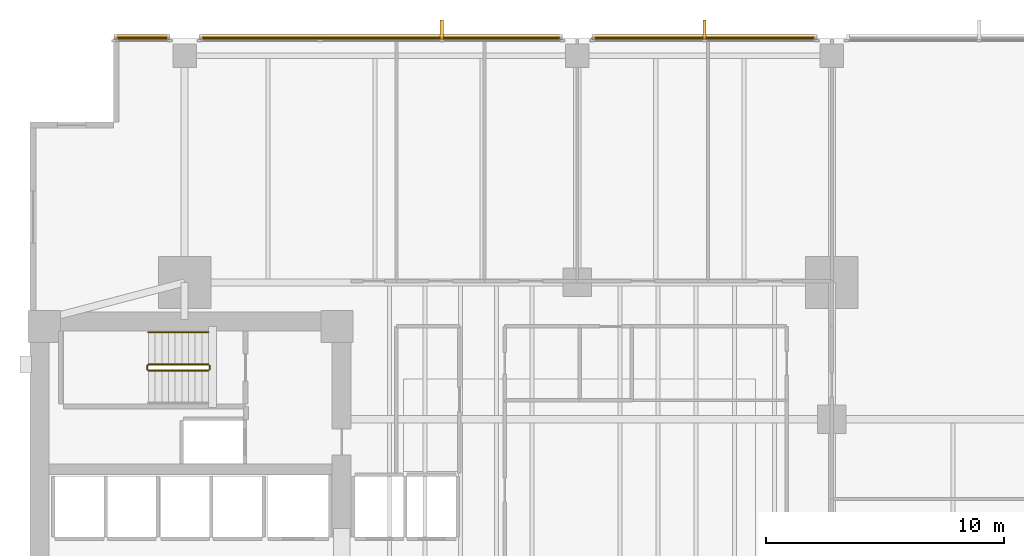
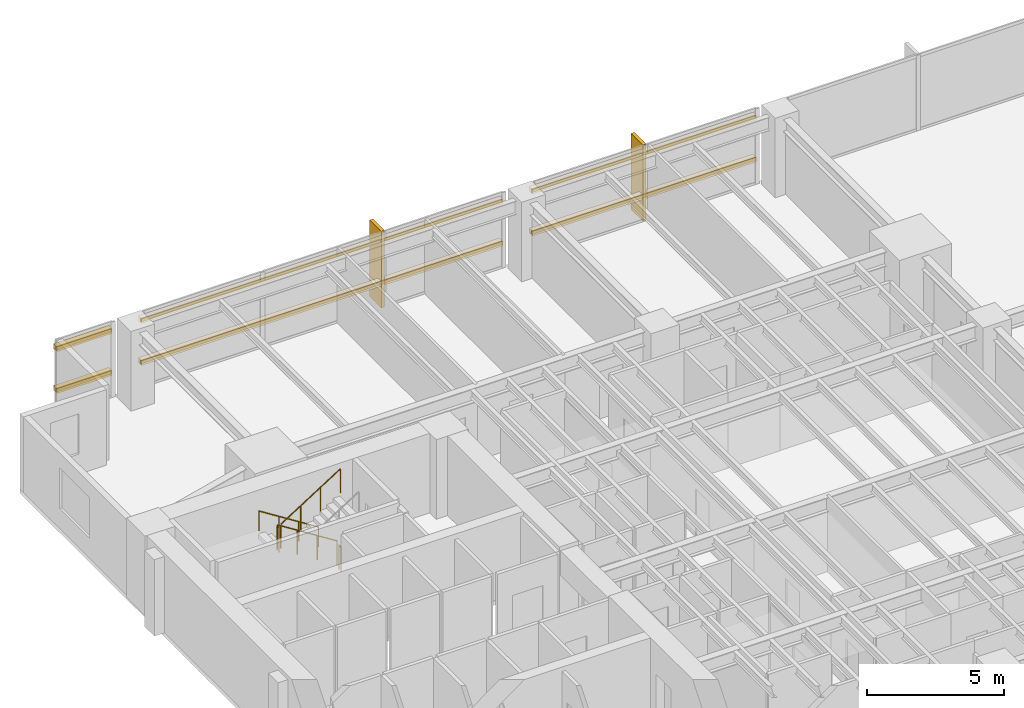
# One storey, part 14 of 15: 8 coverings, 6 shading devices, 5 railings.
"""IFC4 building model written with IfcOpenShell, lengths in metres."""

from ifc_helpers import new_model, si_unit, direction, frame, origin, origin_2d, place, context, subcontext, project, spatial, polyline, rectangle, circle, outline, extrude, material, layer, layer_set, material_profile, profile_set, type_object, element, save


model = new_model("IFC4")

# Units and contexts
model_context = context("Model", 3, precision=1e-05, world=origin(), true_north=direction((0.0, 1.0)))
body_context = subcontext(model_context, "Body", "Model", "MODEL_VIEW")
ifc_project = project(units=[si_unit("LENGTHUNIT", "METRE"), si_unit("AREAUNIT", "SQUARE_METRE"), si_unit("VOLUMEUNIT", "CUBIC_METRE"), si_unit("PLANEANGLEUNIT", "RADIAN"), si_unit("MASSUNIT", "GRAM", prefix="KILO")], contexts=[model_context])

# Site, building, storey
site_placement = place(None, origin())
site = spatial("IfcSite", under=ifc_project, at=site_placement, CompositionType="ELEMENT")
building_placement = place(site_placement, origin())
building = spatial("IfcBuilding", under=site, at=building_placement, Name="Kinhvarn Gate Tower", CompositionType="ELEMENT")
storey_placement = place(building_placement, frame((0.0, 0.0, 64.64990234375)))
storey = spatial("IfcBuildingStorey", under=building, at=storey_placement, Name="L16", CompositionType="ELEMENT", Elevation=64.64990234375)

# Coverings
ifc_material_1 = material(Name="Fired architectural terracotta", Category="masonry")
ifc_layer_1 = layer(ifc_material_1, 0.239990234375)
ifc_layer_set_1 = layer_set([ifc_layer_1], Name="Fired architectural terracotta")
covering_type_1 = type_object("IfcCoveringType", Name="COV-BAG-220", PredefinedType="CLADDING", material=ifc_layer_set_1)
for number, where, name in (
    (1, (0.0, 0.0, 0.940185546875), "Terracotta Horizontal Sunscreen Band TBG-220 (L16)"),
    (2, (0.0, 0.0, 2.81005859375), "Terracotta Horizontal Sunscreen Band TBG-220 (L16)"),
):
    element("IfcCovering", number, at=place(storey_placement, frame(where)), inside=storey, type_object=covering_type_1, Name=name, PredefinedType="CLADDING", context=body_context, shape_type="SweptSolid", body=[
        extrude(outline(polyline([(37.580078125, 47.93994140625), (28.1201171875, 47.93994140625), (28.1201171875, 48.179931640625), (37.580078125, 48.179931640625), (37.580078125, 47.93994140625)])), origin(), (0.0, 0.0, 1.0), 0.219970703125),
    ])
for number, where, name in (
    (3, (0.0, 0.0, 0.940185546875), "Terracotta Horizontal Sunscreen Band TBG-220 (L16)"),
    (4, (0.0, 0.0, 2.81005859375), "Terracotta Horizontal Sunscreen Band TBG-220 (L16)"),
):
    element("IfcCovering", number, at=place(storey_placement, frame(where)), inside=storey, type_object=covering_type_1, Name=name, PredefinedType="CLADDING", context=body_context, shape_type="SweptSolid", body=[
        extrude(outline(polyline([(26.8798828125, 47.93994140625), (11.6201171875, 47.93994140625), (11.6201171875, 48.179931640625), (26.8798828125, 48.179931640625), (26.8798828125, 47.93994140625)])), origin(), (0.0, 0.0, 1.0), 0.219970703125),
    ])
for number, where, name in (
    (5, (0.0, 0.0, 0.940185546875), "Terracotta Horizontal Sunscreen Band TBG-220 (L16)"),
    (6, (0.0, 0.0, 2.81005859375), "Terracotta Horizontal Sunscreen Band TBG-220 (L16)"),
):
    element("IfcCovering", number, at=place(storey_placement, frame(where)), inside=storey, type_object=covering_type_1, Name=name, PredefinedType="CLADDING", context=body_context, shape_type="SweptSolid", body=[
        extrude(outline(polyline([(10.3798828125, 47.93994140625), (8.0400390625, 47.93994140625), (8.0400390625, 48.179931640625), (10.3798828125, 48.179931640625), (10.3798828125, 47.93994140625)])), origin(), (0.0, 0.0, 1.0), 0.219970703125),
    ])
ifc_layer_2 = layer(ifc_material_1, 0.139892578125)
ifc_layer_set_2 = layer_set([ifc_layer_2], Name="Fired architectural terracotta")
covering_type_2 = type_object("IfcCoveringType", Name="COV-FIN-850", PredefinedType="CLADDING", material=ifc_layer_set_2)
covering_1_placement = place(storey_placement, frame((0.0, 0.0, -0.02001953125)))
element("IfcCovering", 7, at=covering_1_placement, inside=storey, type_object=covering_type_2, Name="Vertical Terracotta Expressive Fin TFN-850 (L16)", PredefinedType="CLADDING", context=body_context, shape_type="SweptSolid", body=[
    extrude(outline(polyline([(32.919921875, 47.929931640625), (32.780029296875, 47.929931640625), (32.780029296875, 48.780029296875), (32.919921875, 48.780029296875), (32.919921875, 47.929931640625)])), origin(), (0.0, 0.0, 1.0), 3.41015625),
])
covering_2_placement = place(storey_placement, frame((0.0, 0.0, -0.02001953125)))
element("IfcCovering", 8, at=covering_2_placement, inside=storey, type_object=covering_type_2, Name="Vertical Terracotta Expressive Fin TFN-850 (L16)", PredefinedType="CLADDING", context=body_context, shape_type="SweptSolid", body=[
    extrude(outline(polyline([(21.876708984375, 47.929931640625), (21.73681640625, 47.929931640625), (21.73681640625, 48.780029296875), (21.876708984375, 48.780029296875), (21.876708984375, 47.929931640625)])), origin(), (0.0, 0.0, 1.0), 3.41015625),
])

# Railings
ifc_material_2 = material(Name="Steel S355", Category="steel")
railing_type_1 = type_object("IfcRailingType", Name="RL-ST-GRD", PredefinedType="BALUSTRADE", material=ifc_material_2)
railing_1_placement = place(storey_placement, frame((12.0, 34.300048828125, 0.177490234375)))
element("IfcRailing", 9, at=railing_1_placement, inside=storey, type_object=railing_type_1, Name="L16 ST2 stair guard 1", PredefinedType="BALUSTRADE", context=body_context, shape_type="SweptSolid", body=[
    extrude(circle(Radius=0.02392578125, at=origin_2d()), frame((0.0, 0.0, 1.076171875), z_axis=(-0.84456994832, 0.0, 0.535445237532), x_axis=(0.0, -1.0, 0.0)), (0.0, 0.0, 1.0), 2.98388671875),
    extrude(circle(Radius=0.02099609375, at=origin_2d()), origin(), (0.0, 0.0, 1.0), 1.052001953125),
    extrude(circle(Radius=0.02099609375, at=origin_2d()), frame((-0.840087890625, 0.0, 0.532470703125)), (0.0, 0.0, 1.0), 1.052001953125),
    extrude(circle(Radius=0.02099609375, at=origin_2d()), frame((-1.679931640625, 0.0, 1.065185546875)), (0.0, 0.0, 1.0), 1.052001953125),
    extrude(circle(Radius=0.02099609375, at=origin_2d()), frame((-2.52001953125, 0.0, 1.59765625)), (0.0, 0.0, 1.0), 1.052001953125),
])
railing_2_placement = place(storey_placement, frame((9.429931640625, 34.25, 1.775146484375)))
element("IfcRailing", 10, at=railing_2_placement, inside=storey, type_object=railing_type_1, Name="L16 ST2 stair guard 2", PredefinedType="BALUSTRADE", context=body_context, shape_type="SweptSolid", body=[
    extrude(circle(Radius=0.02392578125, at=origin_2d()), frame((0.0, 0.0, 1.076171875), z_axis=(0.0, -1.0, 0.0), x_axis=(1.0, 0.0, 0.0)), (0.0, 0.0, 1.0), 0.14990234375),
    extrude(circle(Radius=0.02099609375, at=origin_2d()), origin(), (0.0, 0.0, 1.0), 1.052001953125),
    extrude(circle(Radius=0.02099609375, at=origin_2d()), frame((0.0, -0.14990234375, 0.0)), (0.0, 0.0, 1.0), 1.052001953125),
])
railing_3_placement = place(storey_placement, frame((9.47998046875, 34.050048828125, 1.95263671875)))
element("IfcRailing", 11, at=railing_3_placement, inside=storey, type_object=railing_type_1, Name="L16 ST2 stair guard 3", PredefinedType="BALUSTRADE", context=body_context, shape_type="SweptSolid", body=[
    extrude(circle(Radius=0.02392578125, at=origin_2d()), frame((0.0, 0.0, 1.076171875), z_axis=(0.84460694969, 0.0, 0.535386869969), x_axis=(0.0, 1.0, 0.0)), (0.0, 0.0, 1.0), 2.983642578125),
    extrude(circle(Radius=0.02099609375, at=origin_2d()), origin(), (0.0, 0.0, 1.0), 1.052001953125),
    extrude(circle(Radius=0.02099609375, at=origin_2d()), frame((0.840087890625, 0.0, 0.532470703125)), (0.0, 0.0, 1.0), 1.052001953125),
    extrude(circle(Radius=0.02099609375, at=origin_2d()), frame((1.679931640625, 0.0, 1.06494140625)), (0.0, 0.0, 1.0), 1.052001953125),
    extrude(circle(Radius=0.02099609375, at=origin_2d()), frame((2.52001953125, 0.0, 1.597412109375)), (0.0, 0.0, 1.0), 1.052001953125),
])
railing_4_placement = place(storey_placement, frame((12.050048828125, 34.25, 0.0)))
element("IfcRailing", 12, at=railing_4_placement, inside=storey, type_object=railing_type_1, Name="L16 ST2 stair guard 4", PredefinedType="BALUSTRADE", context=body_context, shape_type="SweptSolid", body=[
    extrude(circle(Radius=0.02392578125, at=origin_2d()), frame((0.0, 0.0, 1.076171875), z_axis=(0.0, -1.0, 0.0), x_axis=(1.0, 0.0, 0.0)), (0.0, 0.0, 1.0), 0.14990234375),
    extrude(circle(Radius=0.02099609375, at=origin_2d()), origin(), (0.0, 0.0, 1.0), 1.052001953125),
    extrude(circle(Radius=0.02099609375, at=origin_2d()), frame((0.0, -0.14990234375, 0.0)), (0.0, 0.0, 1.0), 1.052001953125),
])
railing_type_2 = type_object("IfcRailingType", Name="RL-ST-HND", PredefinedType="HANDRAIL", material=ifc_material_2)
railing_5_placement = place(storey_placement, frame((12.0, 35.64990234375, 0.177490234375)))
element("IfcRailing", 13, at=railing_5_placement, inside=storey, type_object=railing_type_2, Name="L16 ST2 stair handrail 1", PredefinedType="HANDRAIL", context=body_context, shape_type="SweptSolid", body=[
    extrude(circle(Radius=0.02392578125, at=origin_2d()), frame((0.0, 0.0, 0.8759765625), z_axis=(-0.84456994832, 0.0, 0.535445237532), x_axis=(0.0, -1.0, 0.0)), (0.0, 0.0, 1.0), 2.98388671875),
    extrude(circle(Radius=0.02099609375, at=origin_2d()), origin(), (0.0, 0.0, 1.0), 0.851806640625),
    extrude(circle(Radius=0.02099609375, at=origin_2d()), frame((-0.840087890625, 0.0, 0.532470703125)), (0.0, 0.0, 1.0), 0.851806640625),
    extrude(circle(Radius=0.02099609375, at=origin_2d()), frame((-1.679931640625, 0.0, 1.065185546875)), (0.0, 0.0, 1.0), 0.851806640625),
    extrude(circle(Radius=0.02099609375, at=origin_2d()), frame((-2.52001953125, 0.0, 1.59765625)), (0.0, 0.0, 1.0), 0.851806640625),
])

# Shading devices
ifc_material_profile = material_profile(ifc_material_1, rectangle(XDim=0.06005859375, YDim=0.139892578125, at=origin_2d()), Name="TC 60x140")
ifc_profile_set = profile_set([ifc_material_profile], Name="Fired architectural terracotta")
shading_device_type = type_object("IfcShadingDeviceType", Name="SHD-BAG-180", PredefinedType="USERDEFINED", material=ifc_profile_set)
for number, where, z_axis, x_axis, name in (
    (14, (37.580078125, 48.014892578125, 1.050048828125), (-1.0, 0.0, 0.0), (0.0, -1.0, 0.0), "Fired Terracotta Baguette Screen Rod 60x140 mm (L16)"),
    (15, (37.580078125, 48.014892578125, 2.920166015625), (-1.0, 0.0, 0.0), (0.0, -1.0, 0.0), "Fired Terracotta Baguette Screen Rod 60x140 mm (L16)"),
):
    element("IfcShadingDevice", number, at=place(storey_placement, frame(where, z_axis=z_axis, x_axis=x_axis)), inside=storey, type_object=shading_device_type, Name=name, ObjectType="BAGUETTE", PredefinedType="USERDEFINED", context=body_context, shape_type="SweptSolid", body=[
        extrude(rectangle(XDim=0.06005859375, YDim=0.139892578125, at=origin_2d()), origin(), (0.0, 0.0, 1.0), 9.4599609375),
    ])
for number, where, z_axis, x_axis, name in (
    (16, (26.8798828125, 48.014892578125, 1.050048828125), (-1.0, 0.0, 0.0), (0.0, -1.0, 0.0), "Fired Terracotta Baguette Screen Rod 60x140 mm (L16)"),
    (17, (26.8798828125, 48.014892578125, 2.920166015625), (-1.0, 0.0, 0.0), (0.0, -1.0, 0.0), "Fired Terracotta Baguette Screen Rod 60x140 mm (L16)"),
):
    element("IfcShadingDevice", number, at=place(storey_placement, frame(where, z_axis=z_axis, x_axis=x_axis)), inside=storey, type_object=shading_device_type, Name=name, ObjectType="BAGUETTE", PredefinedType="USERDEFINED", context=body_context, shape_type="SweptSolid", body=[
        extrude(rectangle(XDim=0.06005859375, YDim=0.139892578125, at=origin_2d()), origin(), (0.0, 0.0, 1.0), 15.259765625),
    ])
for number, where, z_axis, x_axis, name in (
    (18, (10.3798828125, 48.014892578125, 1.050048828125), (-1.0, 0.0, 0.0), (0.0, -1.0, 0.0), "Fired Terracotta Baguette Screen Rod 60x140 mm (L16)"),
    (19, (10.3798828125, 48.014892578125, 2.920166015625), (-1.0, 0.0, 0.0), (0.0, -1.0, 0.0), "Fired Terracotta Baguette Screen Rod 60x140 mm (L16)"),
):
    element("IfcShadingDevice", number, at=place(storey_placement, frame(where, z_axis=z_axis, x_axis=x_axis)), inside=storey, type_object=shading_device_type, Name=name, ObjectType="BAGUETTE", PredefinedType="USERDEFINED", context=body_context, shape_type="SweptSolid", body=[
        extrude(rectangle(XDim=0.06005859375, YDim=0.139892578125, at=origin_2d()), origin(), (0.0, 0.0, 1.0), 2.33984375),
    ])

save(model, "model.ifc")
